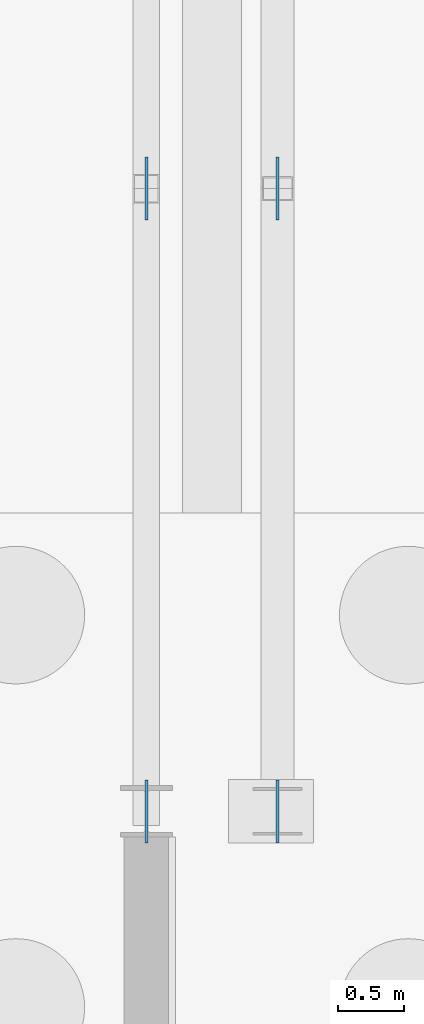
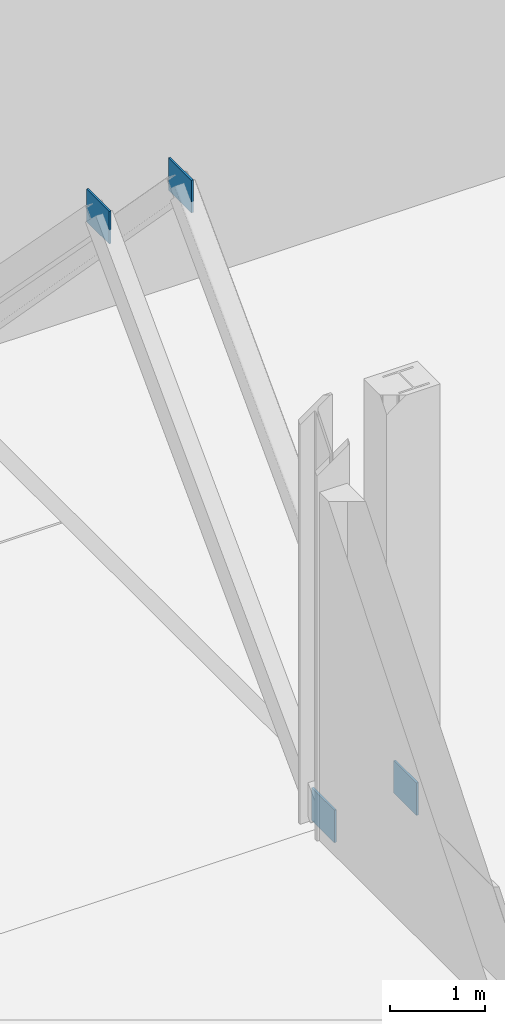
# One storey, part 45 of 83: 4 plates.
"""IFC4 building model written with IfcOpenShell, lengths in metres."""

from ifc_helpers import new_model, si_unit, direction, frame, origin, origin_2d, place, context, subcontext, project, spatial, rectangle, extrude, material, layer, layer_set, type_object, element, save


model = new_model("IFC4")

# Units and contexts
model_context = context("Model", 3, precision=1e-05, world=origin(), true_north=direction((0.0, 1.0)))
body_context = subcontext(model_context, "Body", "Model", "MODEL_VIEW")
ifc_project = project(units=[si_unit("LENGTHUNIT", "METRE"), si_unit("AREAUNIT", "SQUARE_METRE"), si_unit("VOLUMEUNIT", "CUBIC_METRE"), si_unit("PLANEANGLEUNIT", "RADIAN"), si_unit("MASSUNIT", "GRAM", prefix="KILO")], contexts=[model_context])

# Site, building, storey
site_placement = place(None, origin())
site = spatial("IfcSite", under=ifc_project, at=site_placement, CompositionType="ELEMENT")
building_placement = place(site_placement, origin())
building = spatial("IfcBuilding", under=site, at=building_placement, Name="Caurita Quay Ferry Terminal", CompositionType="ELEMENT")
storey_placement = place(building_placement, origin())
storey = spatial("IfcBuildingStorey", under=building, at=storey_placement, Name="L00", CompositionType="ELEMENT", Elevation=0.0)

# Plates
ifc_material = material(Name="Structural plate steel ASTM A572 Gr. 50", Category="steel")
ifc_layer_1 = layer(ifc_material, 0.01806640625, Name="Structural steel connection plate 18 mm")
ifc_layer_set_1 = layer_set([ifc_layer_1], Name="Structural plate steel ASTM A572 Gr. 50")
plate_type_1 = type_object("IfcPlateType", Name="PLT-STL-18", PredefinedType="USERDEFINED", material=ifc_layer_set_1)
for number, where, z_axis, x_axis, name in (
    (1, (131.800048828125, 53.199951171875, -0.06005859375), (0.0, 0.0, 1.0), (0.0, 1.0, 0.0), "L00 Seismic Brace Gusset 04-BSL"),
    (2, (132.800048828125, 53.199951171875, -0.06005859375), (0.0, 0.0, 1.0), (0.0, 1.0, 0.0), "L00 Seismic Brace Gusset 05-BSL"),
):
    element("IfcPlate", number, at=place(storey_placement, frame(where, z_axis=z_axis, x_axis=x_axis)), inside=storey, type_object=plate_type_1, Name=name, ObjectType="GUSSET PLATE", PredefinedType="USERDEFINED", context=body_context, shape_type="SweptSolid", body=[
        extrude(rectangle(XDim=0.47998046875, YDim=0.02490234375, at=origin_2d()), origin(), (0.0, 0.0, 1.0), 0.419921875),
    ])
ifc_layer_2 = layer(ifc_material, 0.02490234375, Name="Structural steel connection plate 25 mm")
ifc_layer_set_2 = layer_set([ifc_layer_2], Name="Structural plate steel ASTM A572 Gr. 50")
plate_type_2 = type_object("IfcPlateType", Name="PLT-STL-25", PredefinedType="USERDEFINED", material=ifc_layer_set_2)
for number, where, z_axis, x_axis, name in (
    (3, (131.800048828125, 57.949951171875, 4.77001953125), (0.0, 0.0, 1.0), (0.0, 1.0, 0.0), "L00 Seismic Brace Gusset 04-APX"),
    (4, (132.800048828125, 57.949951171875, 4.820068359375), (0.0, 0.0, 1.0), (0.0, 1.0, 0.0), "L00 Seismic Brace Gusset 05-APX"),
):
    element("IfcPlate", number, at=place(storey_placement, frame(where, z_axis=z_axis, x_axis=x_axis)), inside=storey, type_object=plate_type_2, Name=name, ObjectType="GUSSET PLATE", PredefinedType="USERDEFINED", context=body_context, shape_type="SweptSolid", body=[
        extrude(rectangle(XDim=0.47998046875, YDim=0.02490234375, at=origin_2d()), origin(), (0.0, 0.0, 1.0), 0.419921875),
    ])

save(model, "model.ifc")
